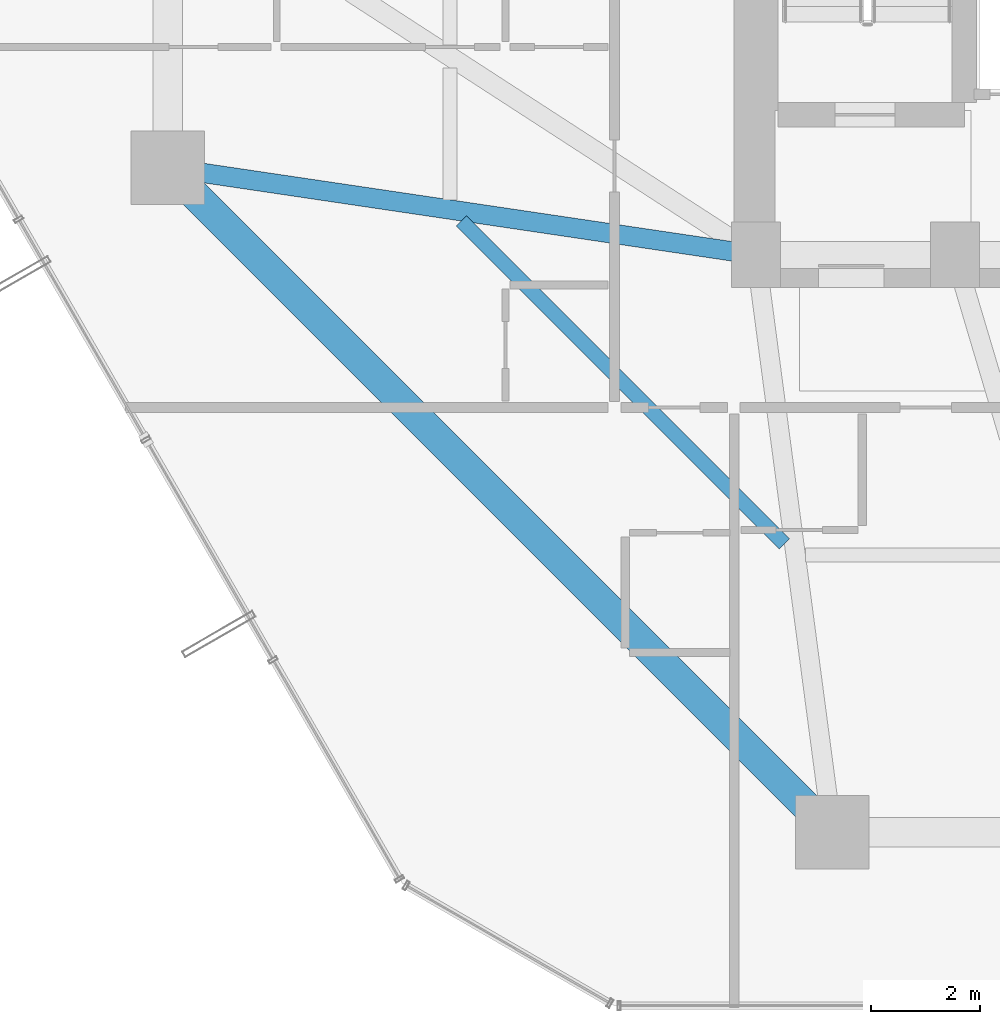
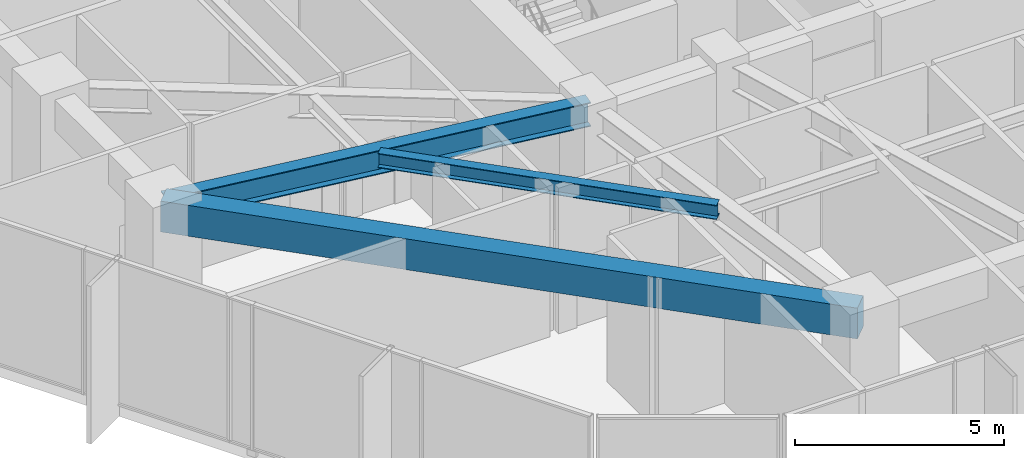
# One storey, part 5 of 39: 3 beams.
"""IFC4 building model written with IfcOpenShell, lengths in metres."""

import ifcopenshell
import ifcopenshell.guid

model = None  # the IFC model being written
_history = None  # IfcOwnerHistory: only IFC2X3 demands one
_inside = {}  # id of a spatial element -> (the spatial element, [elements in it])
_under = {}  # id of a project, library or spatial element -> (it, [spatial elements below it])
_declared = {}  # id of a project -> (the project, [libraries it declares])
_typed = {}  # id of a type object -> (the type object, [elements of that type])
_made_of = {}  # id of a material, layer set ... -> (it, [elements and type objects made of it])


def new_model(schema):
    """Start an empty IFC model of exactly this schema.

    Asked for "IFC4X3", IfcOpenShell would pick the latest addendum, in which some entities
    have other attributes; the version numbers below select the first issue.
    IFC2X3 requires an IfcOwnerHistory on every rooted entity: one is made here for all.
    """
    global model, _history
    if schema == "IFC4X3":
        model = ifcopenshell.file(schema_version=(4, 3, 0, 0))
    else:
        model = ifcopenshell.file(schema=schema)
    _inside.clear()
    _under.clear()
    _declared.clear()
    _typed.clear()
    _made_of.clear()
    _history = None
    if model.schema == "IFC2X3":
        org = make("IfcOrganization", Name="unknown")
        user = make(
            "IfcPersonAndOrganization",
            ThePerson=make("IfcPerson", FamilyName="unknown"),
            TheOrganization=org,
        )
        app = make(
            "IfcApplication",
            ApplicationDeveloper=org,
            Version="unknown",
            ApplicationFullName="unknown",
            ApplicationIdentifier="unknown",
        )
        _history = make(
            "IfcOwnerHistory",
            OwningUser=user,
            OwningApplication=app,
            ChangeAction="ADDED",
            CreationDate=0,
        )
    return model


def make(cls, **values):
    """One entity of the class cls with the attributes given. An attribute that is None is left unset."""
    return model.create_entity(
        cls, **{name: value for name, value in values.items() if value is not None}
    )


def rooted(cls, **values):
    """An entity with a GlobalId (a new one), such as an element, a storey or a relation."""
    return make(cls, GlobalId=ifcopenshell.guid.new(), OwnerHistory=_history, **values)


def si_unit(unit_type, name, prefix=None):
    """IfcSIUnit, for example si_unit("LENGTHUNIT", "METRE", prefix="MILLI")."""
    return make("IfcSIUnit", UnitType=unit_type, Prefix=prefix, Name=name)


def assignment(units):
    """IfcUnitAssignment: the units of a project."""
    return None if units is None else make("IfcUnitAssignment", Units=units)


def point(xyz):
    """IfcCartesianPoint."""
    return None if xyz is None else make("IfcCartesianPoint", Coordinates=xyz)


def direction(xyz):
    """IfcDirection."""
    return None if xyz is None else make("IfcDirection", DirectionRatios=xyz)


def frame(location, z_axis=None, x_axis=None):
    """IfcAxis2Placement3D, a coordinate frame: its origin and axes. An axis left out is left unset."""
    return make(
        "IfcAxis2Placement3D",
        Location=point(location),
        Axis=direction(z_axis),
        RefDirection=direction(x_axis),
    )


def frame_2d(location, x_axis=None):
    """IfcAxis2Placement2D, a coordinate frame in the plane: its origin and x axis."""
    return make(
        "IfcAxis2Placement2D", Location=point(location), RefDirection=direction(x_axis)
    )


def origin():
    """The frame at (0, 0, 0) with its axes left unset."""
    return frame((0.0, 0.0, 0.0))


def origin_2d():
    """The frame at (0, 0) in the plane with its x axis left unset."""
    return frame_2d((0.0, 0.0))


def place(relative_to, where):
    """IfcLocalPlacement: puts the frame where relative to a parent placement (None: the world)."""
    return make(
        "IfcLocalPlacement", PlacementRelTo=relative_to, RelativePlacement=where
    )


def context(
    kind, dimensions, precision=None, world=None, true_north=None, identifier=None
):
    """IfcGeometricRepresentationContext, for example the 3D "Model" context."""
    return make(
        "IfcGeometricRepresentationContext",
        ContextIdentifier=identifier,
        ContextType=kind,
        CoordinateSpaceDimension=dimensions,
        Precision=precision,
        WorldCoordinateSystem=world,
        TrueNorth=true_north,
    )


def subcontext(parent, identifier, kind, view, scale=None):
    """IfcGeometricRepresentationSubContext, for example "Body" below "Model"."""
    return make(
        "IfcGeometricRepresentationSubContext",
        ContextIdentifier=identifier,
        ContextType=kind,
        ParentContext=parent,
        TargetScale=scale,
        TargetView=view,
    )


def project(units=None, contexts=None):
    """IfcProject with its units and contexts."""
    return rooted(
        "IfcProject",
        Name="project",
        RepresentationContexts=contexts,
        UnitsInContext=assignment(units),
    )


def spatial(cls, under=None, at=None, **own):
    """A site, building, storey or space (cls), placed at a placement, below another one or the project."""
    s = rooted(cls, ObjectPlacement=at, **own)
    if under is not None:
        _under.setdefault(under.id(), (under, []))[1].append(s)
    return s


def profile(cls, at=None, kind="AREA", **sizes):
    """A parametric profile (cls). Its sizes go by their IFC names, for example OverallWidth=200.0."""
    return make(cls, ProfileType=kind, Position=at, **sizes)


def rectangle(**sizes):
    """IfcRectangleProfileDef."""
    return profile("IfcRectangleProfileDef", **sizes)


def i_section(**sizes):
    """IfcIShapeProfileDef."""
    return profile("IfcIShapeProfileDef", **sizes)


def extrude(swept, where, along, depth):
    """IfcExtrudedAreaSolid: the profile swept, set in the frame where, extruded along a direction by depth."""
    return make(
        "IfcExtrudedAreaSolid",
        SweptArea=swept,
        Position=where,
        ExtrudedDirection=direction(along),
        Depth=depth,
    )


def shape(context_of_items, identifier, shape_type, items):
    """IfcShapeRepresentation: the items that make up one representation, for example the "Body"."""
    return make(
        "IfcShapeRepresentation",
        ContextOfItems=context_of_items,
        RepresentationIdentifier=identifier,
        RepresentationType=shape_type,
        Items=items,
    )


def material(Name=None, Category=None):
    """IfcMaterial."""
    return make("IfcMaterial", Name=Name, Category=Category)


def material_profile(
    of_material, cross_section, Name=None, Category=None, Priority=None
):
    """IfcMaterialProfile: a cross section and its material."""
    return make(
        "IfcMaterialProfile",
        Name=Name,
        Material=of_material,
        Profile=cross_section,
        Priority=Priority,
        Category=Category,
    )


def profile_set(profiles, Name=None, composite=None):
    """IfcMaterialProfileSet."""
    return make(
        "IfcMaterialProfileSet",
        Name=Name,
        MaterialProfiles=profiles,
        CompositeProfile=composite,
    )


def made_of(thing, what):
    """Note that an element or type object is made of a material, layer set ...; save() writes the relation."""
    if what is not None:
        _made_of.setdefault(what.id(), (what, []))[1].append(thing)
    return thing


def type_object(cls, material=None, **own):
    """A type object (cls), such as IfcWallType, which elements share."""
    return made_of(rooted(cls, **own), material)


def element(
    cls,
    number,
    at=None,
    inside=None,
    cuts=None,
    type_object=None,
    material=None,
    context=None,
    identifier="Body",
    shape_type=None,
    held_by="IfcProductDefinitionShape",
    body=None,
    shapes=None,
    **own,
):
    """One element of the class cls, such as IfcWall. Its Tag is "e" and its number.

    at: its placement. inside: the storey or other place that contains it. cuts: it is an
    opening in that element (IfcRelVoidsElement). A single representation is given by context,
    identifier, shape_type and body (its items); several are given by shapes. held_by: the class
    of the entity that holds the representations. save() writes the other relations.
    """
    e = rooted(cls, Tag="e%d" % number, ObjectPlacement=at, **own)
    if body is not None:
        shapes = [shape(context, identifier, shape_type, body)]
    if shapes is not None:
        e.Representation = make(held_by, Representations=shapes)
    if inside is not None:
        _inside.setdefault(inside.id(), (inside, []))[1].append(e)
    if cuts is not None:
        rooted(
            "IfcRelVoidsElement", RelatingBuildingElement=cuts, RelatedOpeningElement=e
        )
    if type_object is not None:
        _typed.setdefault(type_object.id(), (type_object, []))[1].append(e)
    return made_of(e, material)


def aggregate(whole, parts):
    """IfcRelAggregates: a whole, such as a stair, and the parts it consists of."""
    return rooted("IfcRelAggregates", RelatingObject=whole, RelatedObjects=parts)


def save(model, path):
    """Write the relations noted so far, then the file.

    IfcRelAggregates (storeys below a building ...), IfcRelContainedInSpatialStructure (elements
    in a storey), IfcRelDefinesByType, IfcRelAssociatesMaterial and IfcRelDeclares: one each for
    every whole, place, type object, material and project.
    """
    for whole, parts in _under.values():
        aggregate(whole, parts)
    for where, things in _inside.values():
        rooted(
            "IfcRelContainedInSpatialStructure",
            RelatedElements=things,
            RelatingStructure=where,
        )
    for kind, things in _typed.values():
        rooted("IfcRelDefinesByType", RelatedObjects=things, RelatingType=kind)
    for what, things in _made_of.values():
        rooted("IfcRelAssociatesMaterial", RelatedObjects=things, RelatingMaterial=what)
    for by, libraries in _declared.values():
        rooted("IfcRelDeclares", RelatingContext=by, RelatedDefinitions=libraries)
    model.write(path)


model = new_model("IFC4")

# Units and contexts
model_context = context("Model", 3, precision=1e-05, world=origin(), true_north=direction((0.0, 1.0)))
body_context = subcontext(model_context, "Body", "Model", "MODEL_VIEW")
ifc_project = project(units=[si_unit("LENGTHUNIT", "METRE"), si_unit("AREAUNIT", "SQUARE_METRE"), si_unit("VOLUMEUNIT", "CUBIC_METRE"), si_unit("PLANEANGLEUNIT", "RADIAN"), si_unit("MASSUNIT", "GRAM", prefix="KILO")], contexts=[model_context])

# Site, building, storey
site_placement = place(None, origin())
site = spatial("IfcSite", under=ifc_project, at=site_placement, CompositionType="ELEMENT")
building_placement = place(site_placement, origin())
building = spatial("IfcBuilding", under=site, at=building_placement, Name="Veraguas Prism Commons", CompositionType="ELEMENT")
storey_placement = place(building_placement, frame((0.0, 0.0, 22.800048828125)))
storey = spatial("IfcBuildingStorey", under=building, at=storey_placement, Name="L05", CompositionType="ELEMENT", Elevation=22.800048828125)

# Beams
ifc_material_1 = material(Name="Steel ASTM A992 Grade 50", Category="steel")
ifc_material_profile_1 = material_profile(ifc_material_1, i_section(OverallWidth=0.260986328125, OverallDepth=0.419921875, WebThickness=0.01171875, FlangeThickness=0.019287109375, at=origin_2d()), Name="W410X114")
ifc_profile_set_1 = profile_set([ifc_material_profile_1], Name="Steel ASTM A992 Grade 50")
beam_type_1 = type_object("IfcBeamType", Name="Lower Floor Joist W410x114", PredefinedType="JOIST", material=ifc_profile_set_1)
beam_1_placement = place(storey_placement, frame((11.79296875, 17.623046875, 4.0400390625), z_axis=(0.707092226423, -0.70712133565, 0.0), x_axis=(0.70712133565, 0.707092226423, 0.0)))
element("IfcBeam", 1, at=beam_1_placement, inside=storey, type_object=beam_type_1, Name="Composite Floor Joist L05-JS09", PredefinedType="JOIST", context=body_context, shape_type="SweptSolid", body=[
    extrude(i_section(OverallWidth=0.260986328125, OverallDepth=0.419921875, WebThickness=0.01171875, FlangeThickness=0.019287109375, at=origin_2d()), origin(), (0.0, 0.0, 1.0), 8.386962890625),
])
ifc_material_2 = material(Name="Concrete C50/60", Category="concrete")
ifc_material_profile_2 = material_profile(ifc_material_2, rectangle(XDim=0.550048828125, YDim=0.89990234375, at=origin_2d()), Name="RC550X900")
ifc_profile_set_2 = profile_set([ifc_material_profile_2], Name="Concrete C50/60")
beam_type_2 = type_object("IfcBeamType", Name="Perimeter Spandrel Lower RC 550x900", PredefinedType="SPANDREL", material=ifc_profile_set_2)
beam_2_placement = place(storey_placement, frame((6.39990234375, 18.60009765625, 3.800048828125), z_axis=(0.707106781187, -0.707106781187, 0.0), x_axis=(0.707106781187, 0.707106781187, 0.0)))
element("IfcBeam", 2, at=beam_2_placement, inside=storey, type_object=beam_type_2, Name="Perimeter Spandrel Beam L05-SP09", PredefinedType="SPANDREL", context=body_context, shape_type="SweptSolid", body=[
    extrude(rectangle(XDim=0.550048828125, YDim=0.89990234375, at=origin_2d()), origin(), (0.0, 0.0, 1.0), 17.253662109375),
])
ifc_material_profile_3 = material_profile(ifc_material_1, i_section(OverallWidth=0.35595703125, OverallDepth=0.700927734375, WebThickness=0.016845703125, FlangeThickness=0.02734375, at=origin_2d()), Name="W690X240")
ifc_profile_set_3 = profile_set([ifc_material_profile_3], Name="Steel ASTM A992 Grade 50")
beam_type_3 = type_object("IfcBeamType", Name="Zone 1 Radial Girder W690x240", PredefinedType="BEAM", material=ifc_profile_set_3)
beam_3_placement = place(storey_placement, frame((6.39990234375, 18.60009765625, 3.8994140625), z_axis=(0.989202261707, -0.146556765224, 0.0), x_axis=(0.146556765224, 0.989202261707, 0.0)))
element("IfcBeam", 3, at=beam_3_placement, inside=storey, type_object=beam_type_3, Name="Radial Floor Girder L05-RD09", PredefinedType="BEAM", context=body_context, shape_type="SweptSolid", body=[
    extrude(i_section(OverallWidth=0.35595703125, OverallDepth=0.700927734375, WebThickness=0.016845703125, FlangeThickness=0.02734375, at=origin_2d()), origin(), (0.0, 0.0, 1.0), 10.91796875),
])

save(model, "model.ifc")
